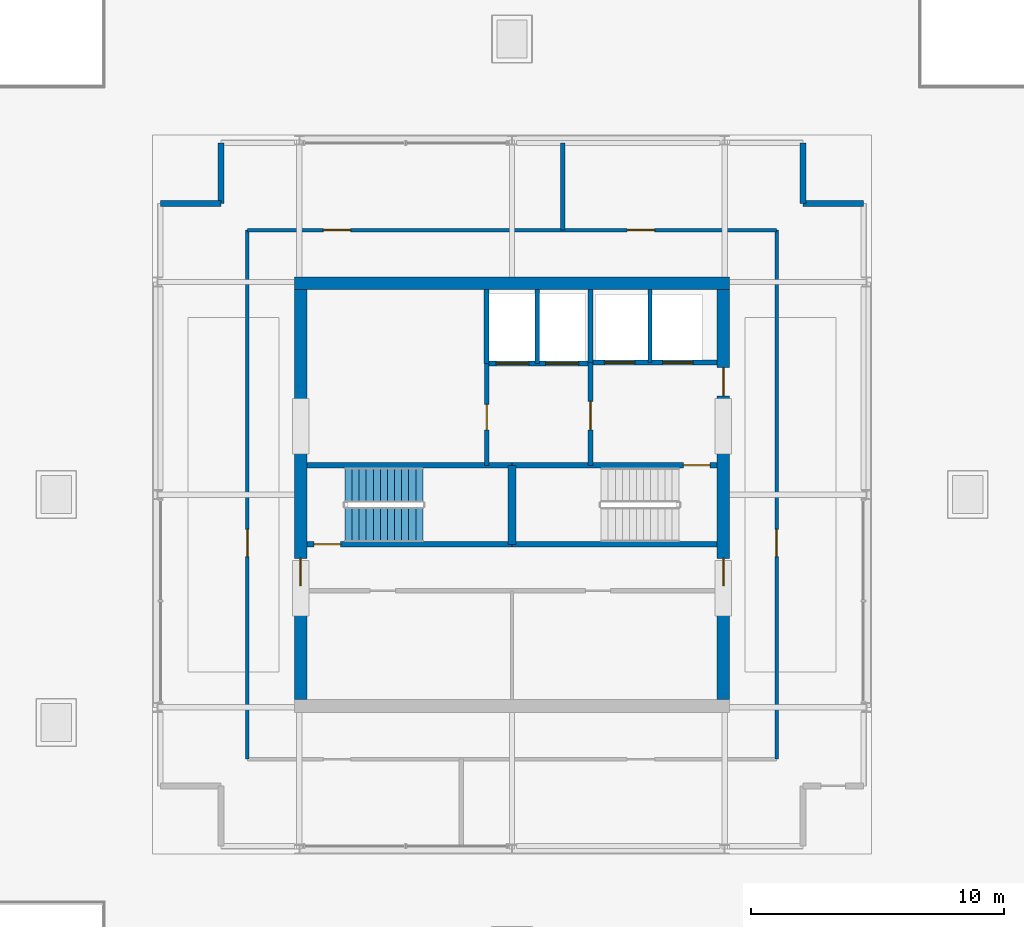
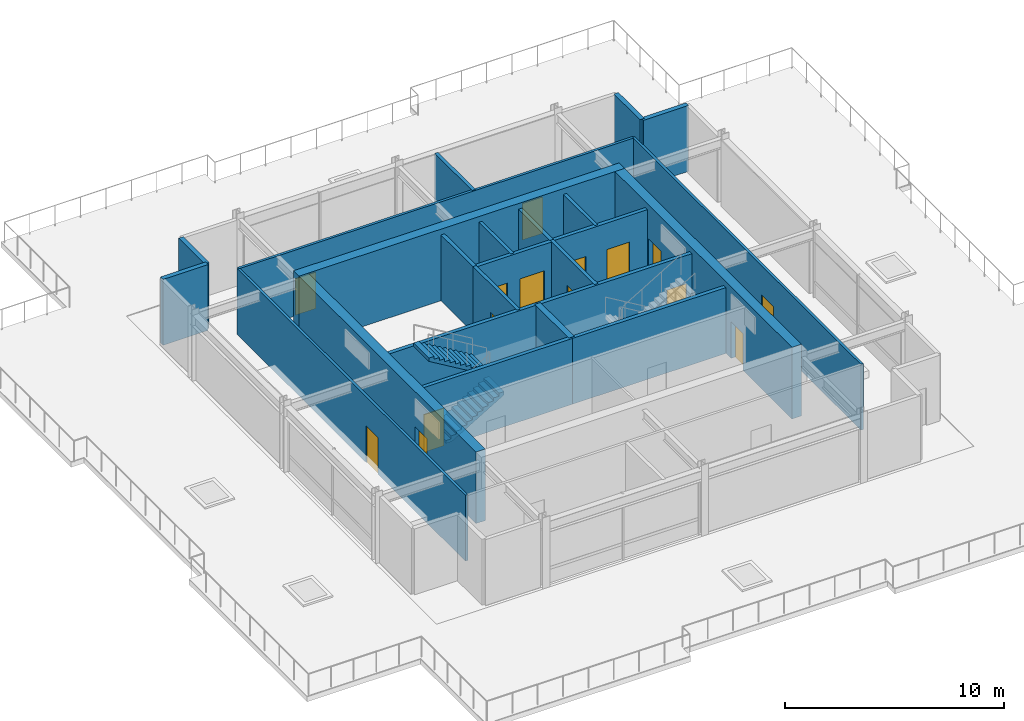
# One storey, part 13 of 17: 24 walls, 15 doors, 2 stair flights, 15 openings, 1 element without a shape of its own.
"""IFC4 building model written with IfcOpenShell, lengths in metres."""

from ifc_helpers import new_model, si_unit, direction, frame, frame_2d, origin, place, context, subcontext, project, spatial, polyline, rectangle, outline, extrude, material, layer, layer_set, type_object, element, fill, aggregate, save


model = new_model("IFC4")

# Units and contexts
model_context = context("Model", 3, precision=1e-05, world=origin(), true_north=direction((0.0, 1.0)))
body_context = subcontext(model_context, "Body", "Model", "MODEL_VIEW")
ifc_project = project(units=[si_unit("LENGTHUNIT", "METRE"), si_unit("AREAUNIT", "SQUARE_METRE"), si_unit("VOLUMEUNIT", "CUBIC_METRE"), si_unit("PLANEANGLEUNIT", "RADIAN"), si_unit("MASSUNIT", "GRAM", prefix="KILO")], contexts=[model_context])

# Site, building, storey
site_placement = place(None, origin())
site = spatial("IfcSite", under=ifc_project, at=site_placement, CompositionType="ELEMENT")
building_placement = place(site_placement, origin())
building = spatial("IfcBuilding", under=site, at=building_placement, Name="Drelvath Grand Hotel", CompositionType="ELEMENT")
storey_placement = place(building_placement, frame((0.0, 0.0, 311.39990234375)))
storey = spatial("IfcBuildingStorey", under=building, at=storey_placement, Name="L81", CompositionType="ELEMENT", Elevation=311.39990234375)

# Wall, openings, doors
ifc_material_1 = material(Name="Concrete C40/50", Category="concrete")
ifc_layer_1 = layer(ifc_material_1, 0.199951171875)
ifc_layer_set_1 = layer_set([ifc_layer_1], Name="Concrete C40/50")
wall_type_1 = type_object("IfcWallType", Name="Core Hoistway Fire Wall 200", PredefinedType="SOLIDWALL", material=ifc_layer_set_1)
wall_1_placement = place(storey_placement, frame((3.10009765625, 32.219970703125, 0.0), z_axis=(0.0, 0.0, 1.0), x_axis=(1.0, 0.0, 0.0)))
wall_1 = element("IfcWall", 1, at=wall_1_placement, inside=storey, type_object=wall_type_1, Name="L81 FSAE Hoistway Front Wall", PredefinedType="SOLIDWALL", context=body_context, shape_type="SweptSolid", body=[
    extrude(rectangle(XDim=5.0, YDim=0.199951171875, at=frame_2d((2.5, 0.0))), origin(), (0.0, 0.0, 1.0), 3.68017578125),
])
opening_1_placement = place(wall_1_placement, frame((0.550048828125, 0.0, 0.0)))
opening_1 = element("IfcOpeningElement", 2, at=opening_1_placement, cuts=wall_1, Name="Opening LD-FSAE-1", PredefinedType="OPENING", context=body_context, shape_type="SweptSolid", body=[
    extrude(rectangle(XDim=1.199951171875, YDim=2.199951171875, at=frame_2d((0.60009765625, 1.10009765625))), frame((0.0, 0.10986328125, 0.0), z_axis=(0.0, -1.0, 0.0), x_axis=(1.0, 0.0, 0.0)), (0.0, 0.0, 1.0), 0.219970703125),
])
opening_2_placement = place(wall_1_placement, frame((2.85009765625, 0.0, 0.0)))
opening_2 = element("IfcOpeningElement", 3, at=opening_2_placement, cuts=wall_1, Name="Opening LD-FSAE-2", PredefinedType="OPENING", context=body_context, shape_type="SweptSolid", body=[
    extrude(rectangle(XDim=1.199951171875, YDim=2.199951171875, at=frame_2d((0.60009765625, 1.10009765625))), frame((0.0, 0.10986328125, 0.0), z_axis=(0.0, -1.0, 0.0), x_axis=(1.0, 0.0, 0.0)), (0.0, 0.0, 1.0), 0.219970703125),
])
ifc_material_2 = material(Name="Stainless Steel S355", Category="steel")
door_type_1 = type_object("IfcDoorType", Name="FSAE Lift Sliding Landing Door 1200x2200", OperationType="NOTDEFINED", PredefinedType="DOOR", material=ifc_material_2)
door_1_placement = place(opening_1_placement, origin())
door_1 = element("IfcDoor", 4, at=door_1_placement, inside=storey, type_object=door_type_1, Name="L81 Lift FSAE-1 Landing Door", OperationType="SLIDING_TO_LEFT", OverallHeight=2.199951171875, OverallWidth=1.199951171875, PredefinedType="DOOR", context=body_context, shape_type="SweptSolid", body=[
    extrude(rectangle(XDim=1.199951171875, YDim=2.199951171875, at=frame_2d((0.60009765625, 1.10009765625))), frame((0.0, 0.02490234375, 0.0), z_axis=(0.0, -1.0, 0.0), x_axis=(1.0, 0.0, 0.0)), (0.0, 0.0, 1.0), 0.050048828125),
])
fill(opening_1, door_1)
door_2_placement = place(opening_2_placement, origin())
door_2 = element("IfcDoor", 5, at=door_2_placement, inside=storey, type_object=door_type_1, Name="L81 Lift FSAE-2 Landing Door", OperationType="SLIDING_TO_LEFT", OverallHeight=2.199951171875, OverallWidth=1.199951171875, PredefinedType="DOOR", context=body_context, shape_type="SweptSolid", body=[
    extrude(rectangle(XDim=1.199951171875, YDim=2.199951171875, at=frame_2d((0.60009765625, 1.10009765625))), frame((0.0, 0.02490234375, 0.0), z_axis=(0.0, -1.0, 0.0), x_axis=(1.0, 0.0, 0.0)), (0.0, 0.0, 1.0), 0.050048828125),
])
fill(opening_2, door_2)

# Wall
wall_2_placement = place(storey_placement, frame((3.10009765625, 32.219970703125, 0.0), z_axis=(0.0, 0.0, 1.0), x_axis=(0.0, 1.0, 0.0)))
element("IfcWall", 6, at=wall_2_placement, inside=storey, type_object=wall_type_1, Name="L81 FSAE Hoistway West Wall", PredefinedType="SOLIDWALL", context=body_context, shape_type="SweptSolid", body=[
    extrude(rectangle(XDim=2.880126953125, YDim=0.199951171875, at=frame_2d((1.43994140625, 0.0))), origin(), (0.0, 0.0, 1.0), 3.68017578125),
])

# Wall, openings, doors
wall_3_placement = place(storey_placement, frame((-1.0, 32.179931640625, 0.0), z_axis=(0.0, 0.0, 1.0), x_axis=(1.0, 0.0, 0.0)))
wall_3 = element("IfcWall", 7, at=wall_3_placement, inside=storey, type_object=wall_type_1, Name="L81 Service Lift Hoistway Wall", PredefinedType="SOLIDWALL", context=body_context, shape_type="SweptSolid", body=[
    extrude(rectangle(XDim=4.10009765625, YDim=0.199951171875, at=frame_2d((2.050048828125, 0.0))), origin(), (0.0, 0.0, 1.0), 3.68017578125),
])
opening_3_placement = place(wall_3_placement, frame((0.3701171875, 0.0, 0.0)))
opening_3 = element("IfcOpeningElement", 8, at=opening_3_placement, cuts=wall_3, Name="Opening LD-SV-2", PredefinedType="OPENING", context=body_context, shape_type="SweptSolid", body=[
    extrude(rectangle(XDim=1.300048828125, YDim=2.199951171875, at=frame_2d((0.64990234375, 1.10009765625))), frame((0.0, 0.10986328125, 0.0), z_axis=(0.0, -1.0, 0.0), x_axis=(1.0, 0.0, 0.0)), (0.0, 0.0, 1.0), 0.219970703125),
])
opening_4_placement = place(wall_3_placement, frame((2.330078125, 0.0, 0.0)))
opening_4 = element("IfcOpeningElement", 9, at=opening_4_placement, cuts=wall_3, Name="Opening LD-SV-1", PredefinedType="OPENING", context=body_context, shape_type="SweptSolid", body=[
    extrude(rectangle(XDim=1.300048828125, YDim=2.199951171875, at=frame_2d((0.64990234375, 1.10009765625))), frame((0.0, 0.10986328125, 0.0), z_axis=(0.0, -1.0, 0.0), x_axis=(1.0, 0.0, 0.0)), (0.0, 0.0, 1.0), 0.219970703125),
])
door_type_2 = type_object("IfcDoorType", Name="Service Lift Sliding Landing Door 1300x2200", OperationType="NOTDEFINED", PredefinedType="DOOR", material=ifc_material_2)
door_3_placement = place(opening_3_placement, origin())
door_3 = element("IfcDoor", 10, at=door_3_placement, inside=storey, type_object=door_type_2, Name="L81 Lift SV-2 Landing Door", OperationType="SLIDING_TO_LEFT", OverallHeight=2.199951171875, OverallWidth=1.300048828125, PredefinedType="DOOR", context=body_context, shape_type="SweptSolid", body=[
    extrude(rectangle(XDim=1.300048828125, YDim=2.199951171875, at=frame_2d((0.64990234375, 1.10009765625))), frame((0.0, 0.02490234375, 0.0), z_axis=(0.0, -1.0, 0.0), x_axis=(1.0, 0.0, 0.0)), (0.0, 0.0, 1.0), 0.050048828125),
])
fill(opening_3, door_3)
door_4_placement = place(opening_4_placement, origin())
door_4 = element("IfcDoor", 11, at=door_4_placement, inside=storey, type_object=door_type_2, Name="L81 Lift SV-1 Landing Door", OperationType="SLIDING_TO_LEFT", OverallHeight=2.199951171875, OverallWidth=1.300048828125, PredefinedType="DOOR", context=body_context, shape_type="SweptSolid", body=[
    extrude(rectangle(XDim=1.300048828125, YDim=2.199951171875, at=frame_2d((0.64990234375, 1.10009765625))), frame((0.0, 0.02490234375, 0.0), z_axis=(0.0, -1.0, 0.0), x_axis=(1.0, 0.0, 0.0)), (0.0, 0.0, 1.0), 0.050048828125),
])
fill(opening_4, door_4)

# Wall
wall_4_placement = place(storey_placement, frame((-1.0, 32.179931640625, 0.0), z_axis=(0.0, 0.0, 1.0), x_axis=(0.0, 1.0, 0.0)))
element("IfcWall", 12, at=wall_4_placement, inside=storey, type_object=wall_type_1, Name="L81 Service Lift West Wall", PredefinedType="SOLIDWALL", context=body_context, shape_type="SweptSolid", body=[
    extrude(rectangle(XDim=2.920166015625, YDim=0.199951171875, at=frame_2d((1.4599609375, 0.0))), origin(), (0.0, 0.0, 1.0), 3.68017578125),
])

# Wall, opening, door
ifc_layer_2 = layer(ifc_material_1, 0.199951171875)
ifc_layer_set_2 = layer_set([ifc_layer_2], Name="Concrete C40/50")
wall_type_2 = type_object("IfcWallType", Name="Core Shaft Fire Wall 200", PredefinedType="SOLIDWALL", material=ifc_layer_set_2)
wall_5_placement = place(storey_placement, frame((-8.10009765625, 25.0400390625, 0.0), z_axis=(0.0, 0.0, 1.0), x_axis=(1.0, 0.0, 0.0)))
wall_5 = element("IfcWall", 13, at=wall_5_placement, inside=storey, type_object=wall_type_2, Name="L81 Stair ST-1 South Wall", PredefinedType="SOLIDWALL", context=body_context, shape_type="SweptSolid", body=[
    extrude(rectangle(XDim=8.10009765625, YDim=0.199951171875, at=frame_2d((4.050048828125, 0.0))), origin(), (0.0, 0.0, 1.0), 3.68017578125),
])
opening_5_placement = place(wall_5_placement, frame((0.280029296875, 0.0, 0.0)))
opening_5 = element("IfcOpeningElement", 14, at=opening_5_placement, cuts=wall_5, Name="Opening D-L81-001", PredefinedType="OPENING", context=body_context, shape_type="SweptSolid", body=[
    extrude(rectangle(XDim=1.050048828125, YDim=2.10009765625, at=frame_2d((0.52490234375, 1.050048828125))), frame((0.0, 0.10986328125, 0.0), z_axis=(0.0, -1.0, 0.0), x_axis=(1.0, 0.0, 0.0)), (0.0, 0.0, 1.0), 0.219970703125),
])
ifc_material_3 = material(Name="Painted Steel S275", Category="steel")
door_type_3 = type_object("IfcDoorType", Name="Tower Stairwell Fire Door 1050x2100", OperationType="NOTDEFINED", PredefinedType="DOOR", material=ifc_material_3)
door_5_placement = place(opening_5_placement, origin())
door_5 = element("IfcDoor", 15, at=door_5_placement, inside=storey, type_object=door_type_3, Name="L81 Exit Stair ST-1 Door", OperationType="SINGLE_SWING_LEFT", OverallHeight=2.10009765625, OverallWidth=1.050048828125, PredefinedType="DOOR", context=body_context, shape_type="SweptSolid", body=[
    extrude(rectangle(XDim=1.050048828125, YDim=2.10009765625, at=frame_2d((0.52490234375, 1.050048828125))), frame((0.0, 0.02490234375, 0.0), z_axis=(0.0, -1.0, 0.0), x_axis=(1.0, 0.0, 0.0)), (0.0, 0.0, 1.0), 0.050048828125),
])
fill(opening_5, door_5)

# Walls
for number, where, z_axis, x_axis, name in (
    (16, (-8.10009765625, 28.159912109375, 0.0), (0.0, 0.0, 1.0), (1.0, 0.0, 0.0), "L81 Stair ST-1 North Wall"),
    (17, (0.0, 25.0400390625, 0.0), (0.0, 0.0, 1.0), (1.0, 0.0, 0.0), "L81 Stair ST-2 South Wall"),
):
    element("IfcWall", number, at=place(storey_placement, frame(where, z_axis=z_axis, x_axis=x_axis)), inside=storey, type_object=wall_type_2, Name=name, PredefinedType="SOLIDWALL", context=body_context, shape_type="SweptSolid", body=[
        extrude(rectangle(XDim=8.10009765625, YDim=0.199951171875, at=frame_2d((4.050048828125, 0.0))), origin(), (0.0, 0.0, 1.0), 3.68017578125),
    ])

# Wall, opening, door
wall_6_placement = place(storey_placement, frame((8.10009765625, 28.159912109375, 0.0), z_axis=(0.0, 0.0, 1.0), x_axis=(-1.0, 0.0, 0.0)))
wall_6 = element("IfcWall", 18, at=wall_6_placement, inside=storey, type_object=wall_type_2, Name="L81 Stair ST-2 North Wall", PredefinedType="SOLIDWALL", context=body_context, shape_type="SweptSolid", body=[
    extrude(rectangle(XDim=8.10009765625, YDim=0.199951171875, at=frame_2d((4.050048828125, 0.0))), origin(), (0.0, 0.0, 1.0), 3.68017578125),
])
opening_6_placement = place(wall_6_placement, frame((0.280029296875, 0.0, 0.0)))
opening_6 = element("IfcOpeningElement", 19, at=opening_6_placement, cuts=wall_6, Name="Opening D-L81-002", PredefinedType="OPENING", context=body_context, shape_type="SweptSolid", body=[
    extrude(rectangle(XDim=1.050048828125, YDim=2.10009765625, at=frame_2d((0.52490234375, 1.050048828125))), frame((0.0, 0.10986328125, 0.0), z_axis=(0.0, -1.0, 0.0), x_axis=(1.0, 0.0, 0.0)), (0.0, 0.0, 1.0), 0.219970703125),
])
door_6_placement = place(opening_6_placement, origin())
door_6 = element("IfcDoor", 20, at=door_6_placement, inside=storey, type_object=door_type_3, Name="L81 Exit Stair ST-2 Door", OperationType="SINGLE_SWING_LEFT", OverallHeight=2.10009765625, OverallWidth=1.050048828125, PredefinedType="DOOR", context=body_context, shape_type="SweptSolid", body=[
    extrude(rectangle(XDim=1.050048828125, YDim=2.10009765625, at=frame_2d((0.52490234375, 1.050048828125))), frame((0.0, 0.02490234375, 0.0), z_axis=(0.0, -1.0, 0.0), x_axis=(1.0, 0.0, 0.0)), (0.0, 0.0, 1.0), 0.050048828125),
])
fill(opening_6, door_6)

# Walls
ifc_layer_3 = layer(ifc_material_1, 0.300048828125)
ifc_layer_set_3 = layer_set([ifc_layer_3], Name="Concrete C40/50")
wall_type_3 = type_object("IfcWallType", Name="Core Shaft Fire Wall 300", PredefinedType="SOLIDWALL", material=ifc_layer_set_3)
wall_7_placement = place(storey_placement, frame((0.0, 25.0400390625, 0.0), z_axis=(0.0, 0.0, 1.0), x_axis=(0.0, 1.0, 0.0)))
element("IfcWall", 21, at=wall_7_placement, inside=storey, type_object=wall_type_3, Name="L81 Core Stair Divider Wall", PredefinedType="SOLIDWALL", context=body_context, shape_type="SweptSolid", body=[
    extrude(rectangle(XDim=3.119873046875, YDim=0.300048828125, at=frame_2d((1.56005859375, 0.0))), origin(), (0.0, 0.0, 1.0), 3.68017578125),
])
ifc_material_4 = material(Name="Gypsum Fireboard Partition")
ifc_layer_4 = layer(ifc_material_4, 0.1650390625)
ifc_layer_set_4 = layer_set([ifc_layer_4], Name="Gypsum Fireboard Partition")
wall_type_4 = type_object("IfcWallType", Name="Core Shaft Partition 165", PredefinedType="PARTITIONING", material=ifc_layer_set_4)
wall_8_placement = place(storey_placement, frame((5.449951171875, 32.219970703125, 0.0), z_axis=(0.0, 0.0, 1.0), x_axis=(0.0, 1.0, 0.0)))
element("IfcWall", 22, at=wall_8_placement, inside=storey, type_object=wall_type_4, Name="L81 FSAE Hoistway Divider", PredefinedType="PARTITIONING", context=body_context, shape_type="SweptSolid", body=[
    extrude(rectangle(XDim=2.880126953125, YDim=0.1650390625, at=frame_2d((1.43994140625, 0.0))), origin(), (0.0, 0.0, 1.0), 3.68017578125),
])
wall_9_placement = place(storey_placement, frame((1.0, 32.179931640625, 0.0), z_axis=(0.0, 0.0, 1.0), x_axis=(0.0, 1.0, 0.0)))
element("IfcWall", 23, at=wall_9_placement, inside=storey, type_object=wall_type_4, Name="L81 Service Lift Divider", PredefinedType="PARTITIONING", context=body_context, shape_type="SweptSolid", body=[
    extrude(rectangle(XDim=2.920166015625, YDim=0.1650390625, at=frame_2d((1.4599609375, 0.0))), origin(), (0.0, 0.0, 1.0), 3.68017578125),
])

# Wall, openings, doors
ifc_layer_5 = layer(ifc_material_4, 0.135009765625)
ifc_layer_set_5 = layer_set([ifc_layer_5], Name="Gypsum Fireboard Partition")
wall_type_5 = type_object("IfcWallType", Name="Corridor Fire Barrier Wall 135", PredefinedType="PARTITIONING", material=ifc_layer_set_5)
wall_10_placement = place(storey_placement, frame((-10.449951171875, 37.449951171875, 0.0), z_axis=(0.0, 0.0, 1.0), x_axis=(1.0, 0.0, 0.0)))
wall_10 = element("IfcWall", 24, at=wall_10_placement, inside=storey, type_object=wall_type_5, Name="L81 Crown North Corridor Wall", PredefinedType="PARTITIONING", context=body_context, shape_type="SweptSolid", body=[
    extrude(rectangle(XDim=20.89990234375, YDim=0.135009765625, at=frame_2d((10.449951171875, 0.0))), origin(), (0.0, 0.0, 1.0), 3.68017578125),
])
opening_7_placement = place(wall_10_placement, frame((3.0, 0.0, 0.0)))
opening_7 = element("IfcOpeningElement", 25, at=opening_7_placement, cuts=wall_10, Name="Opening D-L81-016", PredefinedType="OPENING", context=body_context, shape_type="SweptSolid", body=[
    extrude(rectangle(XDim=1.080078125, YDim=2.0400390625, at=frame_2d((0.5400390625, 1.02001953125))), frame((0.0, 0.077392578125, 0.0), z_axis=(0.0, -1.0, 0.0), x_axis=(1.0, 0.0, 0.0)), (0.0, 0.0, 1.0), 0.155029296875),
])
opening_8_placement = place(wall_10_placement, frame((15.0, 0.0, 0.0)))
opening_8 = element("IfcOpeningElement", 26, at=opening_8_placement, cuts=wall_10, Name="Opening D-L81-017", PredefinedType="OPENING", context=body_context, shape_type="SweptSolid", body=[
    extrude(rectangle(XDim=1.080078125, YDim=2.0400390625, at=frame_2d((0.5400390625, 1.02001953125))), frame((0.0, 0.077392578125, 0.0), z_axis=(0.0, -1.0, 0.0), x_axis=(1.0, 0.0, 0.0)), (0.0, 0.0, 1.0), 0.155029296875),
])
door_type_4 = type_object("IfcDoorType", Name="Core Corridor Fire Door 1080x2100", OperationType="NOTDEFINED", PredefinedType="DOOR", material=ifc_material_3)
door_7_placement = place(opening_7_placement, origin())
door_7 = element("IfcDoor", 27, at=door_7_placement, inside=storey, type_object=door_type_4, Name="L81 Transmitter Plant Door", OperationType="SINGLE_SWING_RIGHT", OverallHeight=2.0400390625, OverallWidth=1.080078125, PredefinedType="DOOR", context=body_context, shape_type="SweptSolid", body=[
    extrude(rectangle(XDim=1.080078125, YDim=2.0400390625, at=frame_2d((0.5400390625, 1.02001953125))), frame((0.0, 0.02490234375, 0.0), z_axis=(0.0, -1.0, 0.0), x_axis=(1.0, 0.0, 0.0)), (0.0, 0.0, 1.0), 0.050048828125),
])
fill(opening_7, door_7)
door_8_placement = place(opening_8_placement, origin())
door_8 = element("IfcDoor", 28, at=door_8_placement, inside=storey, type_object=door_type_4, Name="L81 TMD Plant Door", OperationType="SINGLE_SWING_LEFT", OverallHeight=2.0400390625, OverallWidth=1.080078125, PredefinedType="DOOR", context=body_context, shape_type="SweptSolid", body=[
    extrude(rectangle(XDim=1.080078125, YDim=2.0400390625, at=frame_2d((0.5400390625, 1.02001953125))), frame((0.0, 0.02490234375, 0.0), z_axis=(0.0, -1.0, 0.0), x_axis=(1.0, 0.0, 0.0)), (0.0, 0.0, 1.0), 0.050048828125),
])
fill(opening_8, door_8)

# Wall, opening, door
wall_11_placement = place(storey_placement, frame((-10.449951171875, 16.550048828125, 0.0), z_axis=(0.0, 0.0, 1.0), x_axis=(0.0, 1.0, 0.0)))
wall_11 = element("IfcWall", 29, at=wall_11_placement, inside=storey, type_object=wall_type_5, Name="L81 Crown West Corridor Wall", PredefinedType="PARTITIONING", context=body_context, shape_type="SweptSolid", body=[
    extrude(rectangle(XDim=20.89990234375, YDim=0.135009765625, at=frame_2d((10.449951171875, 0.0))), origin(), (0.0, 0.0, 1.0), 3.68017578125),
])
opening_9_placement = place(wall_11_placement, frame((8.0, 0.0, 0.0)))
opening_9 = element("IfcOpeningElement", 30, at=opening_9_placement, cuts=wall_11, Name="Opening D-L81-018", PredefinedType="OPENING", context=body_context, shape_type="SweptSolid", body=[
    extrude(rectangle(XDim=1.080078125, YDim=2.0400390625, at=frame_2d((0.5400390625, 1.02001953125))), frame((0.0, 0.077392578125, 0.0), z_axis=(0.0, -1.0, 0.0), x_axis=(1.0, 0.0, 0.0)), (0.0, 0.0, 1.0), 0.155029296875),
])
door_9_placement = place(opening_9_placement, origin())
door_9 = element("IfcDoor", 31, at=door_9_placement, inside=storey, type_object=door_type_4, Name="L81 Drive Plant Door", OperationType="SINGLE_SWING_RIGHT", OverallHeight=2.0400390625, OverallWidth=1.080078125, PredefinedType="DOOR", context=body_context, shape_type="SweptSolid", body=[
    extrude(rectangle(XDim=1.080078125, YDim=2.0400390625, at=frame_2d((0.5400390625, 1.02001953125))), frame((0.0, 0.02490234375, 0.0), z_axis=(0.0, -1.0, 0.0), x_axis=(1.0, 0.0, 0.0)), (0.0, 0.0, 1.0), 0.050048828125),
])
fill(opening_9, door_9)

wall_12_placement = place(storey_placement, frame((10.449951171875, 16.550048828125, 0.0), z_axis=(0.0, 0.0, 1.0), x_axis=(0.0, 1.0, 0.0)))
wall_12 = element("IfcWall", 32, at=wall_12_placement, inside=storey, type_object=wall_type_5, Name="L81 Crown East Corridor Wall", PredefinedType="PARTITIONING", context=body_context, shape_type="SweptSolid", body=[
    extrude(rectangle(XDim=20.89990234375, YDim=0.135009765625, at=frame_2d((10.449951171875, 0.0))), origin(), (0.0, 0.0, 1.0), 3.68017578125),
])
opening_10_placement = place(wall_12_placement, frame((8.0, 0.0, 0.0)))
opening_10 = element("IfcOpeningElement", 33, at=opening_10_placement, cuts=wall_12, Name="Opening D-L81-019", PredefinedType="OPENING", context=body_context, shape_type="SweptSolid", body=[
    extrude(rectangle(XDim=1.080078125, YDim=2.0400390625, at=frame_2d((0.5400390625, 1.02001953125))), frame((0.0, 0.077392578125, 0.0), z_axis=(0.0, -1.0, 0.0), x_axis=(1.0, 0.0, 0.0)), (0.0, 0.0, 1.0), 0.155029296875),
])
door_10_placement = place(opening_10_placement, origin())
door_10 = element("IfcDoor", 34, at=door_10_placement, inside=storey, type_object=door_type_4, Name="L81 Pressurization Fan Door", OperationType="SINGLE_SWING_LEFT", OverallHeight=2.0400390625, OverallWidth=1.080078125, PredefinedType="DOOR", context=body_context, shape_type="SweptSolid", body=[
    extrude(rectangle(XDim=1.080078125, YDim=2.0400390625, at=frame_2d((0.5400390625, 1.02001953125))), frame((0.0, 0.02490234375, 0.0), z_axis=(0.0, -1.0, 0.0), x_axis=(1.0, 0.0, 0.0)), (0.0, 0.0, 1.0), 0.050048828125),
])
fill(opening_10, door_10)

ifc_layer_6 = layer(ifc_material_4, 0.179931640625)
ifc_layer_set_6 = layer_set([ifc_layer_6], Name="Gypsum Fireboard Partition")
wall_type_6 = type_object("IfcWallType", Name="FSAE Smoke Lobby Fire Wall 180", PredefinedType="SOLIDWALL", material=ifc_layer_set_6)
wall_13_placement = place(storey_placement, frame((3.10009765625, 28.159912109375, 0.0), z_axis=(0.0, 0.0, 1.0), x_axis=(0.0, 1.0, 0.0)))
wall_13 = element("IfcWall", 35, at=wall_13_placement, inside=storey, type_object=wall_type_6, Name="L81 FSAE Smoke Lobby West Wall", PredefinedType="SOLIDWALL", context=body_context, shape_type="SweptSolid", body=[
    extrude(rectangle(XDim=4.06005859375, YDim=0.179931640625, at=frame_2d((2.030029296875, 0.0))), origin(), (0.0, 0.0, 1.0), 3.68017578125),
])
opening_11_placement = place(wall_13_placement, frame((1.39990234375, 0.0, 0.0)))
opening_11 = element("IfcOpeningElement", 36, at=opening_11_placement, cuts=wall_13, Name="Opening D-L81-005", PredefinedType="OPENING", context=body_context, shape_type="SweptSolid", body=[
    extrude(rectangle(XDim=1.1201171875, YDim=2.10009765625, at=frame_2d((0.56005859375, 1.050048828125))), frame((0.0, 0.099853515625, 0.0), z_axis=(0.0, -1.0, 0.0), x_axis=(1.0, 0.0, 0.0)), (0.0, 0.0, 1.0), 0.199951171875),
])
door_type_5 = type_object("IfcDoorType", Name="FSAE Smoke Lobby Fire Door 1120x2100", OperationType="NOTDEFINED", PredefinedType="DOOR", material=ifc_material_3)
door_11_placement = place(opening_11_placement, origin())
door_11 = element("IfcDoor", 37, at=door_11_placement, inside=storey, type_object=door_type_5, Name="L81 FSAE Lobby Service Vestibule Door", OperationType="SINGLE_SWING_RIGHT", OverallHeight=2.10009765625, OverallWidth=1.1201171875, PredefinedType="DOOR", context=body_context, shape_type="SweptSolid", body=[
    extrude(rectangle(XDim=1.1201171875, YDim=2.10009765625, at=frame_2d((0.56005859375, 1.050048828125))), frame((0.0, 0.02490234375, 0.0), z_axis=(0.0, -1.0, 0.0), x_axis=(1.0, 0.0, 0.0)), (0.0, 0.0, 1.0), 0.050048828125),
])
fill(opening_11, door_11)

wall_14_placement = place(storey_placement, frame((-1.0, 28.159912109375, 0.0), z_axis=(0.0, 0.0, 1.0), x_axis=(0.0, 1.0, 0.0)))
wall_14 = element("IfcWall", 38, at=wall_14_placement, inside=storey, type_object=wall_type_6, Name="L81 Service Vestibule West Wall", PredefinedType="SOLIDWALL", context=body_context, shape_type="SweptSolid", body=[
    extrude(rectangle(XDim=4.02001953125, YDim=0.179931640625, at=frame_2d((2.010009765625, 0.0))), origin(), (0.0, 0.0, 1.0), 3.68017578125),
])
opening_12_placement = place(wall_14_placement, frame((1.39990234375, 0.0, 0.0)))
opening_12 = element("IfcOpeningElement", 39, at=opening_12_placement, cuts=wall_14, Name="Opening D-L81-009", PredefinedType="OPENING", context=body_context, shape_type="SweptSolid", body=[
    extrude(rectangle(XDim=1.0, YDim=2.10009765625, at=frame_2d((0.5, 1.050048828125))), frame((0.0, 0.099853515625, 0.0), z_axis=(0.0, -1.0, 0.0), x_axis=(1.0, 0.0, 0.0)), (0.0, 0.0, 1.0), 0.199951171875),
])
door_type_6 = type_object("IfcDoorType", Name="Core Service Fire Door 1000x2100", OperationType="NOTDEFINED", PredefinedType="DOOR", material=ifc_material_3)
door_12_placement = place(opening_12_placement, origin())
door_12 = element("IfcDoor", 40, at=door_12_placement, inside=storey, type_object=door_type_6, Name="L81 Service Vestibule West Door", OperationType="SINGLE_SWING_LEFT", OverallHeight=2.10009765625, OverallWidth=1.0, PredefinedType="DOOR", context=body_context, shape_type="SweptSolid", body=[
    extrude(rectangle(XDim=1.0, YDim=2.10009765625, at=frame_2d((0.5, 1.050048828125))), frame((0.0, 0.02490234375, 0.0), z_axis=(0.0, -1.0, 0.0), x_axis=(1.0, 0.0, 0.0)), (0.0, 0.0, 1.0), 0.050048828125),
])
fill(opening_12, door_12)

# Walls
wall_15_placement = place(storey_placement, frame((2.0, 37.449951171875, 0.0), z_axis=(0.0, 0.0, 1.0), x_axis=(0.0, 1.0, 0.0)))
element("IfcWall", 41, at=wall_15_placement, inside=storey, type_object=wall_type_6, Name="L81 Crown North Split", PredefinedType="SOLIDWALL", context=body_context, shape_type="SweptSolid", body=[
    extrude(rectangle(XDim=3.429931640625, YDim=0.179931640625, at=frame_2d((1.71484375, 0.0))), origin(), (0.0, 0.0, 1.0), 3.68017578125),
])
ifc_material_5 = material(Name="Pale-Metal Insulated Aluminium Spandrel Assembly", Category="aluminium")
ifc_layer_7 = layer(ifc_material_5, 0.239990234375)
ifc_layer_set_7 = layer_set([ifc_layer_7], Name="Pale-Metal Insulated Aluminium Spandrel Assembly")
wall_type_7 = type_object("IfcWallType", Name="Tower Insulated Metal Spandrel Closure Wall 240", PredefinedType="STANDARD", material=ifc_layer_set_7)
for number, where, z_axis, x_axis, name in (
    (42, (-13.8798828125, 38.5, 0.0), (0.0, 0.0, 1.0), (1.0, 0.0, 0.0), "L81 Crown Drum Corner Wall CNW1"),
    (43, (-11.5, 38.5, 0.0), (0.0, 0.0, 1.0), (0.0, 1.0, 0.0), "L81 Crown Drum Corner Wall CNW2"),
    (44, (11.5, 40.8798828125, 0.0), (0.0, 0.0, 1.0), (0.0, -1.0, 0.0), "L81 Crown Drum Corner Wall CNE1"),
    (45, (11.5, 38.5, 0.0), (0.0, 0.0, 1.0), (1.0, 0.0, 0.0), "L81 Crown Drum Corner Wall CNE2"),
):
    element("IfcWall", number, at=place(storey_placement, frame(where, z_axis=z_axis, x_axis=x_axis)), inside=storey, type_object=wall_type_7, Name=name, PredefinedType="STANDARD", context=body_context, shape_type="SweptSolid", body=[
        extrude(rectangle(XDim=2.3798828125, YDim=0.239990234375, at=frame_2d((1.18994140625, 0.0))), origin(), (0.0, 0.0, 1.0), 3.68017578125),
    ])
ifc_material_6 = material(Name="Concrete f'c 55 MPa", Category="concrete")
ifc_layer_8 = layer(ifc_material_6, 0.5)
ifc_layer_set_8 = layer_set([ifc_layer_8], Name="Concrete f'c 55 MPa")
wall_type_8 = type_object("IfcWallType", Name="Upper Core RC Shear Wall 500", PredefinedType="SHEAR", material=ifc_layer_set_8)
wall_16_placement = place(storey_placement, frame((-8.60009765625, 35.35009765625, 0.0), z_axis=(0.0, 0.0, 1.0), x_axis=(1.0, 0.0, 0.0)))
element("IfcWall", 46, at=wall_16_placement, inside=storey, type_object=wall_type_8, Name="L81 Central Core Shear Wall N", PredefinedType="SHEAR", context=body_context, shape_type="SweptSolid", body=[
    extrude(rectangle(XDim=17.2001953125, YDim=0.5, at=frame_2d((8.60009765625, 0.0))), origin(), (0.0, 0.0, 1.0), 4.0),
])

# Wall, openings, doors
wall_17_placement = place(storey_placement, frame((8.35009765625, 35.10009765625, 0.0), z_axis=(0.0, 0.0, 1.0), x_axis=(0.0, -1.0, 0.0)))
wall_17 = element("IfcWall", 47, at=wall_17_placement, inside=storey, type_object=wall_type_8, Name="L81 Central Core Shear Wall E", PredefinedType="SHEAR", context=body_context, shape_type="SweptSolid", body=[
    extrude(rectangle(XDim=16.2001953125, YDim=0.5, at=frame_2d((8.10009765625, 0.0))), origin(), (0.0, 0.0, 1.0), 4.0),
])
opening_13_placement = place(wall_17_placement, frame((3.080078125, 0.0, 0.0)))
opening_13 = element("IfcOpeningElement", 48, at=opening_13_placement, cuts=wall_17, Name="Opening D-L81-006", PredefinedType="OPENING", context=body_context, shape_type="SweptSolid", body=[
    extrude(rectangle(XDim=1.1201171875, YDim=2.10009765625, at=frame_2d((0.56005859375, 1.050048828125))), frame((0.0, 0.260009765625, 0.0), z_axis=(0.0, -1.0, 0.0), x_axis=(1.0, 0.0, 0.0)), (0.0, 0.0, 1.0), 0.52001953125),
])
opening_14_placement = place(wall_17_placement, frame((10.6201171875, 0.0, 0.0)))
opening_14 = element("IfcOpeningElement", 49, at=opening_14_placement, cuts=wall_17, Name="Opening D-L81-011", PredefinedType="OPENING", context=body_context, shape_type="SweptSolid", body=[
    extrude(rectangle(XDim=1.080078125, YDim=2.0400390625, at=frame_2d((0.5400390625, 1.02001953125))), frame((0.0, 0.260009765625, 0.0), z_axis=(0.0, -1.0, 0.0), x_axis=(1.0, 0.0, 0.0)), (0.0, 0.0, 1.0), 0.52001953125),
])
door_13_placement = place(opening_14_placement, origin())
door_13 = element("IfcDoor", 50, at=door_13_placement, inside=storey, type_object=door_type_4, Name="L81 Core Passage East Door", OperationType="SINGLE_SWING_LEFT", OverallHeight=2.0400390625, OverallWidth=1.080078125, PredefinedType="DOOR", context=body_context, shape_type="SweptSolid", body=[
    extrude(rectangle(XDim=1.080078125, YDim=2.0400390625, at=frame_2d((0.5400390625, 1.02001953125))), frame((0.0, 0.02490234375, 0.0), z_axis=(0.0, -1.0, 0.0), x_axis=(1.0, 0.0, 0.0)), (0.0, 0.0, 1.0), 0.050048828125),
])
fill(opening_14, door_13)
door_14_placement = place(opening_13_placement, origin())
door_14 = element("IfcDoor", 51, at=door_14_placement, inside=storey, type_object=door_type_5, Name="L81 FSAE Lobby East Corridor Door", OperationType="SINGLE_SWING_LEFT", OverallHeight=2.10009765625, OverallWidth=1.1201171875, PredefinedType="DOOR", context=body_context, shape_type="SweptSolid", body=[
    extrude(rectangle(XDim=1.1201171875, YDim=2.10009765625, at=frame_2d((0.56005859375, 1.050048828125))), frame((0.0, 0.02490234375, 0.0), z_axis=(0.0, -1.0, 0.0), x_axis=(1.0, 0.0, 0.0)), (0.0, 0.0, 1.0), 0.050048828125),
])
fill(opening_13, door_14)

# Wall, opening, door
wall_18_placement = place(storey_placement, frame((-8.35009765625, 18.89990234375, 0.0), z_axis=(0.0, 0.0, 1.0), x_axis=(0.0, 1.0, 0.0)))
wall_18 = element("IfcWall", 52, at=wall_18_placement, inside=storey, type_object=wall_type_8, Name="L81 Central Core Shear Wall W", PredefinedType="SHEAR", context=body_context, shape_type="SweptSolid", body=[
    extrude(rectangle(XDim=16.2001953125, YDim=0.5, at=frame_2d((8.10009765625, 0.0))), origin(), (0.0, 0.0, 1.0), 4.0),
])
opening_15_placement = place(wall_18_placement, frame((4.5, 0.0, 0.0)))
opening_15 = element("IfcOpeningElement", 53, at=opening_15_placement, cuts=wall_18, Name="Opening D-L81-010", PredefinedType="OPENING", context=body_context, shape_type="SweptSolid", body=[
    extrude(rectangle(XDim=1.080078125, YDim=2.0400390625, at=frame_2d((0.5400390625, 1.02001953125))), frame((0.0, 0.260009765625, 0.0), z_axis=(0.0, -1.0, 0.0), x_axis=(1.0, 0.0, 0.0)), (0.0, 0.0, 1.0), 0.52001953125),
])
door_15_placement = place(opening_15_placement, origin())
door_15 = element("IfcDoor", 54, at=door_15_placement, inside=storey, type_object=door_type_4, Name="L81 Core Passage West Door", OperationType="SINGLE_SWING_RIGHT", OverallHeight=2.0400390625, OverallWidth=1.080078125, PredefinedType="DOOR", context=body_context, shape_type="SweptSolid", body=[
    extrude(rectangle(XDim=1.080078125, YDim=2.0400390625, at=frame_2d((0.5400390625, 1.02001953125))), frame((0.0, 0.02490234375, 0.0), z_axis=(0.0, -1.0, 0.0), x_axis=(1.0, 0.0, 0.0)), (0.0, 0.0, 1.0), 0.050048828125),
])
fill(opening_15, door_15)

# Stair, stair flights
stair_type = type_object("IfcStairType", Name="Dogleg Exit Stair W1400-R166.7", PredefinedType="HALF_TURN_STAIR", material=ifc_material_1)
stair_placement = place(storey_placement, origin())
stair = element("IfcStair", 55, at=stair_placement, inside=storey, type_object=stair_type, Name="L81 Core Exit Stair ST-1", PredefinedType="HALF_TURN_STAIR")
stair_flight_type = type_object("IfcStairFlightType", Name="Concrete Stair Flight W1400-R166.7", PredefinedType="STRAIGHT", material=ifc_material_1)
stair_flight_1_placement = place(storey_placement, frame((-6.60009765625, 25.820068359375, 0.0), z_axis=(0.0, 0.0, 1.0), x_axis=(1.0, 0.0, 0.0)))
stair_flight_1 = element("IfcStairFlight", 56, at=stair_flight_1_placement, type_object=stair_flight_type, Name="ST-1 flight 1", NumberOfRisers=12, NumberOfTreads=11, PredefinedType="STRAIGHT", RiserHeight=0.166666667, TreadLength=0.28, context=body_context, shape_type="SweptSolid", body=[
    extrude(outline(polyline([(0.0, 0.0), (0.0, 0.166748046875), (0.280029296875, 0.166748046875), (0.280029296875, 0.333251953125), (0.56005859375, 0.333251953125), (0.56005859375, 0.5), (0.840087890625, 0.5), (0.840087890625, 0.666748046875), (1.1201171875, 0.666748046875), (1.1201171875, 0.833251953125), (1.39990234375, 0.833251953125), (1.39990234375, 1.0), (1.679931640625, 1.0), (1.679931640625, 1.166748046875), (1.9599609375, 1.166748046875), (1.9599609375, 1.333251953125), (2.239990234375, 1.333251953125), (2.239990234375, 1.5), (2.52001953125, 1.5), (2.52001953125, 1.666748046875), (2.800048828125, 1.666748046875), (2.800048828125, 1.833251953125), (3.080078125, 1.833251953125), (3.080078125, 2.0), (3.080078125, 1.647216796875), (0.312744140625, 0.0), (0.0, 0.0)])), frame((0.0, 0.699951171875, 0.0), z_axis=(0.0, -1.0, 0.0), x_axis=(1.0, 0.0, 0.0)), (0.0, 0.0, 1.0), 1.39990234375),
])
stair_flight_2_placement = place(storey_placement, frame((-3.52001953125, 27.3798828125, 2.0), z_axis=(0.0, 0.0, 1.0), x_axis=(-1.0, 0.0, 0.0)))
stair_flight_2 = element("IfcStairFlight", 57, at=stair_flight_2_placement, type_object=stair_flight_type, Name="ST-1 flight 2", NumberOfRisers=12, NumberOfTreads=11, PredefinedType="STRAIGHT", RiserHeight=0.166666667, TreadLength=0.28, context=body_context, shape_type="SweptSolid", body=[
    extrude(outline(polyline([(0.0, 0.0), (0.0, 0.166748046875), (0.280029296875, 0.166748046875), (0.280029296875, 0.333251953125), (0.56005859375, 0.333251953125), (0.56005859375, 0.5), (0.840087890625, 0.5), (0.840087890625, 0.666748046875), (1.1201171875, 0.666748046875), (1.1201171875, 0.833251953125), (1.39990234375, 0.833251953125), (1.39990234375, 1.0), (1.679931640625, 1.0), (1.679931640625, 1.166748046875), (1.9599609375, 1.166748046875), (1.9599609375, 1.333251953125), (2.239990234375, 1.333251953125), (2.239990234375, 1.5), (2.52001953125, 1.5), (2.52001953125, 1.666748046875), (2.800048828125, 1.666748046875), (2.800048828125, 1.833251953125), (3.080078125, 1.833251953125), (3.080078125, 2.0), (3.080078125, 1.647216796875), (0.312744140625, 0.0), (0.0, 0.0)])), frame((0.0, 0.699951171875, 0.0), z_axis=(0.0, -1.0, 0.0), x_axis=(1.0, 0.0, 0.0)), (0.0, 0.0, 1.0), 1.39990234375),
])
aggregate(stair, [stair_flight_1, stair_flight_2])

save(model, "model.ifc")
